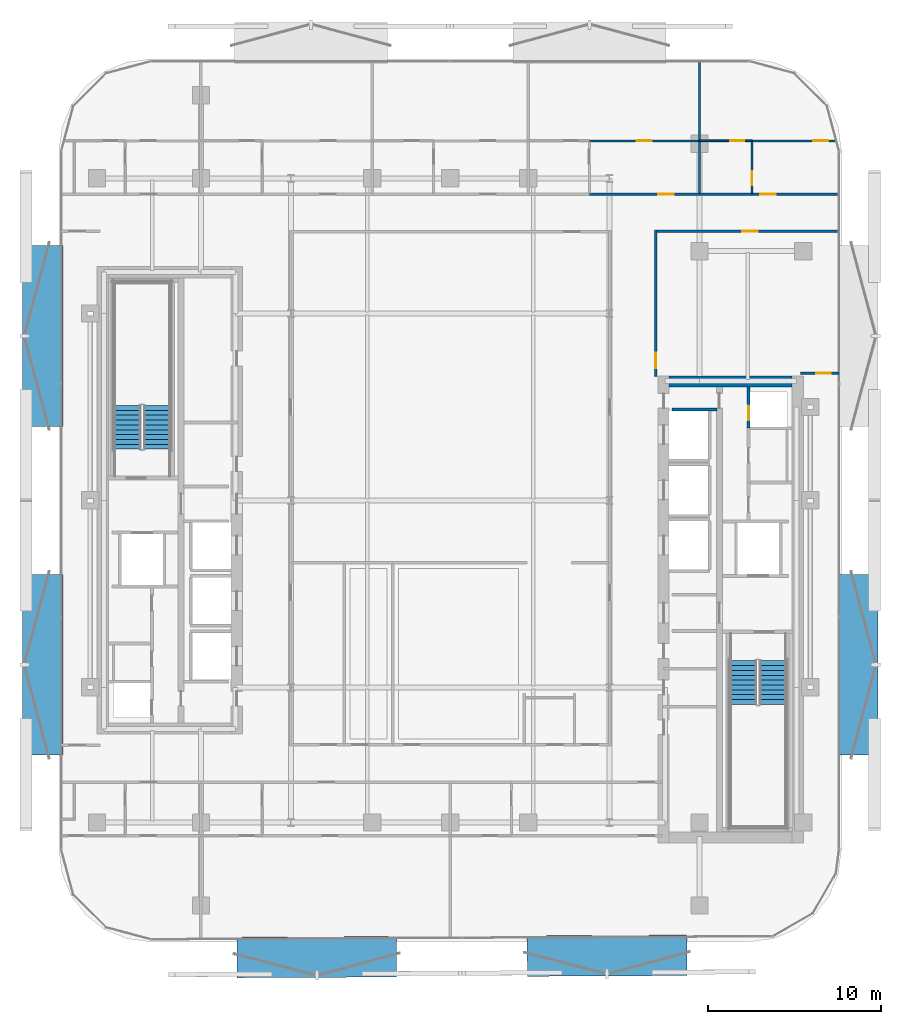
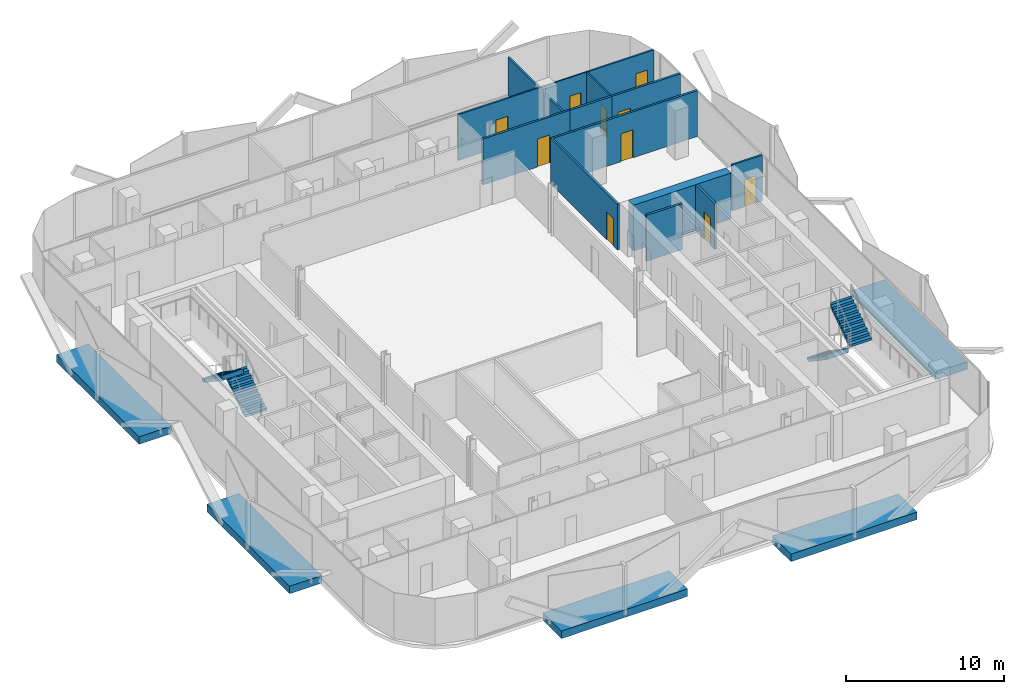
# One storey, part 7 of 17: 15 walls, 10 doors, 5 discrete accessories, 4 stair flights, 10 openings, 2 elements without a shape of their own.
"""IFC4 building model written with IfcOpenShell, lengths in metres."""

from ifc_helpers import new_model, si_unit, direction, frame, frame_2d, origin, origin_2d, place, context, subcontext, project, spatial, polyline, rectangle, outline, extrude, material, layer, layer_set, type_object, element, fill, aggregate, save


model = new_model("IFC4")

# Units and contexts
model_context = context("Model", 3, precision=1e-05, world=origin(), true_north=direction((0.0, 1.0)))
body_context = subcontext(model_context, "Body", "Model", "MODEL_VIEW")
ifc_project = project(units=[si_unit("LENGTHUNIT", "METRE"), si_unit("AREAUNIT", "SQUARE_METRE"), si_unit("VOLUMEUNIT", "CUBIC_METRE"), si_unit("PLANEANGLEUNIT", "RADIAN"), si_unit("MASSUNIT", "GRAM", prefix="KILO")], contexts=[model_context])

# Site, building, storey
site_placement = place(None, origin())
site = spatial("IfcSite", under=ifc_project, at=site_placement, CompositionType="ELEMENT")
building_placement = place(site_placement, origin())
building = spatial("IfcBuilding", under=site, at=building_placement, Name="Khairoan Windgate Tower", CompositionType="ELEMENT")
storey_placement = place(building_placement, frame((0.0, 0.0, 168.800048828125)))
storey = spatial("IfcBuildingStorey", under=building, at=storey_placement, Name="L38", CompositionType="ELEMENT", Elevation=168.800048828125)

# Wall, opening, door
ifc_material_1 = material(Name="Moisture-Resistant Gypsum Partition", Category="gypsum")
ifc_layer_1 = layer(ifc_material_1, 0.10009765625, Name="Moisture-Resistant Gypsum Partition")
ifc_layer_set_1 = layer_set([ifc_layer_1], Name="Moisture-Resistant Gypsum Partition")
wall_type_1 = type_object("IfcWallType", Name="Bathroom Wet-Area Partition Wall", PredefinedType="PARTITIONING", material=ifc_layer_set_1)
wall_1_placement = place(storey_placement, frame((17.43603515625, 17.7548828125, 0.0), z_axis=(0.0, 0.0, 1.0), x_axis=(0.0, 1.0, 0.0)))
wall_1 = element("IfcWall", 1, at=wall_1_placement, inside=storey, type_object=wall_type_1, Name="L38 Interior Partition 072", PredefinedType="PARTITIONING", context=body_context, shape_type="SweptSolid", body=[
    extrude(rectangle(XDim=2.965087890625, YDim=0.10009765625, at=frame_2d((1.482421875, 0.0))), origin(), (0.0, 0.0, 1.0), 3.5400390625),
])
opening_1_placement = place(wall_1_placement, frame((0.4599609375, 0.0, 0.0)))
opening_1 = element("IfcOpeningElement", 2, at=opening_1_placement, cuts=wall_1, Name="Opening ID-BTH", PredefinedType="OPENING", context=body_context, shape_type="SweptSolid", body=[
    extrude(rectangle(XDim=0.800048828125, YDim=2.10009765625, at=frame_2d((0.39990234375, 1.050048828125))), frame((0.0, 0.06005859375, 0.0), z_axis=(0.0, -1.0, 0.0), x_axis=(1.0, 0.0, 0.0)), (0.0, 0.0, 1.0), 0.1201171875),
])
ifc_material_2 = material(Name="Teak Veneer Timber Leaf", Category="wood")
door_type_1 = type_object("IfcDoorType", Name="Internal Bathroom Door ID-BTH 800x2100", OperationType="NOTDEFINED", PredefinedType="DOOR", material=ifc_material_2)
door_1_placement = place(opening_1_placement, origin())
door_1 = element("IfcDoor", 3, at=door_1_placement, inside=storey, type_object=door_type_1, Name="L38 L38-52-L38-53 Door", OperationType="SINGLE_SWING_RIGHT", OverallHeight=2.10009765625, OverallWidth=0.800048828125, PredefinedType="DOOR", context=body_context, shape_type="SweptSolid", body=[
    extrude(rectangle(XDim=0.800048828125, YDim=2.10009765625, at=frame_2d((0.39990234375, 1.050048828125))), frame((0.0, 0.02490234375, 0.0), z_axis=(0.0, -1.0, 0.0), x_axis=(1.0, 0.0, 0.0)), (0.0, 0.0, 1.0), 0.050048828125),
])
fill(opening_1, door_1)

wall_2_placement = place(storey_placement, frame((14.39990234375, 20.77001953125, 0.0), z_axis=(0.0, 0.0, 1.0), x_axis=(1.0, 0.0, 0.0)))
wall_2 = element("IfcWall", 4, at=wall_2_placement, inside=storey, type_object=wall_type_1, Name="L38 Interior Partition 073", PredefinedType="PARTITIONING", context=body_context, shape_type="SweptSolid", body=[
    extrude(rectangle(XDim=3.0361328125, YDim=0.10009765625, at=frame_2d((1.51806640625, 0.0))), origin(), (0.0, 0.0, 1.0), 3.5400390625),
])
opening_2_placement = place(wall_2_placement, frame((1.77587890625, 0.0, 0.0)))
opening_2 = element("IfcOpeningElement", 5, at=opening_2_placement, cuts=wall_2, Name="Opening ID-BTH", PredefinedType="OPENING", context=body_context, shape_type="SweptSolid", body=[
    extrude(rectangle(XDim=0.800048828125, YDim=2.10009765625, at=frame_2d((0.39990234375, 1.050048828125))), frame((0.0, 0.06005859375, 0.0), z_axis=(0.0, -1.0, 0.0), x_axis=(1.0, 0.0, 0.0)), (0.0, 0.0, 1.0), 0.1201171875),
])
door_2_placement = place(opening_2_placement, origin())
door_2 = element("IfcDoor", 6, at=door_2_placement, inside=storey, type_object=door_type_1, Name="L38 L38-52-L38-54 Door", OperationType="SINGLE_SWING_LEFT", OverallHeight=2.10009765625, OverallWidth=0.800048828125, PredefinedType="DOOR", context=body_context, shape_type="SweptSolid", body=[
    extrude(rectangle(XDim=0.800048828125, YDim=2.10009765625, at=frame_2d((0.39990234375, 1.050048828125))), frame((0.0, 0.02490234375, 0.0), z_axis=(0.0, -1.0, 0.0), x_axis=(1.0, 0.0, 0.0)), (0.0, 0.0, 1.0), 0.050048828125),
])
fill(opening_2, door_2)

# Walls
ifc_material_3 = material(Name="Concrete C40/50", Category="concrete")
ifc_layer_2 = layer(ifc_material_3, 0.159912109375, Name="Concrete C40/50")
ifc_layer_set_2 = layer_set([ifc_layer_2], Name="Concrete C40/50")
wall_type_2 = type_object("IfcWallType", Name="Core and Hoistway Enclosure Wall", PredefinedType="STANDARD", material=ifc_layer_set_2)
wall_3_placement = place(storey_placement, frame((12.800048828125, 5.25, 0.0), z_axis=(0.0, 0.0, 1.0), x_axis=(1.0, 0.0, 0.0)))
element("IfcWall", 7, at=wall_3_placement, inside=storey, type_object=wall_type_2, Name="L38 Core Shaft Wall SW-ESV-L38", PredefinedType="STANDARD", context=body_context, shape_type="SweptSolid", body=[
    extrude(rectangle(XDim=2.599853515625, YDim=0.159912109375, at=frame_2d((1.2998046875, 0.0))), origin(), (0.0, 0.0, 1.0), 3.5400390625),
])
ifc_material_4 = material(Name="Acoustic Fire-Rated Gypsum Partition", Category="gypsum")
ifc_layer_3 = layer(ifc_material_4, 0.139892578125, Name="Acoustic Fire-Rated Gypsum Partition")
ifc_layer_set_3 = layer_set([ifc_layer_3], Name="Acoustic Fire-Rated Gypsum Partition")
wall_type_3 = type_object("IfcWallType", Name="Inter-Tenancy Compartment Wall", PredefinedType="PARTITIONING", material=ifc_layer_set_3)
wall_4_placement = place(storey_placement, frame((14.39990234375, 17.7548828125, 0.0), z_axis=(0.0, 0.0, 1.0), x_axis=(0.0, 1.0, 0.0)))
element("IfcWall", 8, at=wall_4_placement, inside=storey, type_object=wall_type_3, Name="L38 Interior Partition 070", PredefinedType="PARTITIONING", context=body_context, shape_type="SweptSolid", body=[
    extrude(rectangle(XDim=3.01513671875, YDim=0.139892578125, at=frame_2d((1.507568359375, 0.0))), origin(), (0.0, 0.0, 1.0), 2.951904296875),
])
wall_5_placement = place(storey_placement, frame((14.39990234375, 20.77001953125, 0.0), z_axis=(0.0, 0.0, 1.0), x_axis=(0.0, 1.0, 0.0)))
element("IfcWall", 9, at=wall_5_placement, inside=storey, type_object=wall_type_3, Name="L38 Interior Partition 071", PredefinedType="PARTITIONING", context=body_context, shape_type="SweptSolid", body=[
    extrude(rectangle(XDim=4.5849609375, YDim=0.139892578125, at=frame_2d((2.29248046875, 0.0))), origin(), (0.0, 0.0, 1.0), 2.951904296875),
])

# Wall, opening, door
wall_6_placement = place(storey_placement, frame((20.239990234375, 7.340087890625, 0.0), z_axis=(0.0, 0.0, 1.0), x_axis=(1.0, 0.0, 0.0)))
wall_6 = element("IfcWall", 10, at=wall_6_placement, inside=storey, type_object=wall_type_3, Name="L38 Interior Partition 088", PredefinedType="PARTITIONING", context=body_context, shape_type="SweptSolid", body=[
    extrude(rectangle(XDim=2.215087890625, YDim=0.139892578125, at=frame_2d((1.107421875, 0.0))), origin(), (0.0, 0.0, 1.0), 3.5400390625),
])
opening_3_placement = place(wall_6_placement, frame((0.905029296875, 0.0, 0.0)))
opening_3 = element("IfcOpeningElement", 11, at=opening_3_placement, cuts=wall_6, Name="Opening FD-SRV", PredefinedType="OPENING", context=body_context, shape_type="SweptSolid", body=[
    extrude(rectangle(XDim=0.85009765625, YDim=2.10009765625, at=frame_2d((0.425048828125, 1.050048828125))), frame((0.0, 0.079833984375, 0.0), z_axis=(0.0, -1.0, 0.0), x_axis=(1.0, 0.0, 0.0)), (0.0, 0.0, 1.0), 0.159912109375),
])
ifc_material_5 = material(Name="Steel S355", Category="steel")
door_type_2 = type_object("IfcDoorType", Name="Core Service and Riser Fire Door FD-SRV 850x2100", OperationType="NOTDEFINED", PredefinedType="DOOR", material=ifc_material_5)
door_3_placement = place(opening_3_placement, origin())
door_3 = element("IfcDoor", 12, at=door_3_placement, inside=storey, type_object=door_type_2, Name="L38 L38-64-L38-66 Door", OperationType="SINGLE_SWING_RIGHT", OverallHeight=2.10009765625, OverallWidth=0.85009765625, PredefinedType="DOOR", context=body_context, shape_type="SweptSolid", body=[
    extrude(rectangle(XDim=0.85009765625, YDim=2.10009765625, at=frame_2d((0.425048828125, 1.050048828125))), frame((0.0, 0.02490234375, 0.0), z_axis=(0.0, -1.0, 0.0), x_axis=(1.0, 0.0, 0.0)), (0.0, 0.0, 1.0), 0.050048828125),
])
fill(opening_3, door_3)

ifc_material_6 = material(Name="Gypsum Stud Partition", Category="gypsum")
ifc_layer_4 = layer(ifc_material_6, 0.1201171875, Name="Gypsum Stud Partition")
ifc_layer_set_4 = layer_set([ifc_layer_4], Name="Gypsum Stud Partition")
wall_type_4 = type_object("IfcWallType", Name="Internal Room Partition Wall", PredefinedType="PARTITIONING", material=ifc_layer_set_4)
wall_7_placement = place(storey_placement, frame((8.0400390625, 20.77001953125, 0.0), z_axis=(0.0, 0.0, 1.0), x_axis=(1.0, 0.0, 0.0)))
wall_7 = element("IfcWall", 13, at=wall_7_placement, inside=storey, type_object=wall_type_4, Name="L38 Interior Partition 069", PredefinedType="PARTITIONING", context=body_context, shape_type="SweptSolid", body=[
    extrude(rectangle(XDim=6.35986328125, YDim=0.1201171875, at=frame_2d((3.179931640625, 0.0))), origin(), (0.0, 0.0, 1.0), 3.5400390625),
])
opening_4_placement = place(wall_7_placement, frame((2.75, 0.0, 0.0)))
opening_4 = element("IfcOpeningElement", 14, at=opening_4_placement, cuts=wall_7, Name="Opening ID-RM", PredefinedType="OPENING", context=body_context, shape_type="SweptSolid", body=[
    extrude(rectangle(XDim=0.860107421875, YDim=2.14990234375, at=frame_2d((0.43017578125, 1.074951171875))), frame((0.0, 0.070068359375, 0.0), z_axis=(0.0, -1.0, 0.0), x_axis=(1.0, 0.0, 0.0)), (0.0, 0.0, 1.0), 0.14013671875),
])
ifc_material_7 = material(Name="Teak Veneer Timber Leaf", Category="wood")
door_type_3 = type_object("IfcDoorType", Name="Internal Bedroom and Office Door ID-RM 860x2150", OperationType="NOTDEFINED", PredefinedType="DOOR", material=ifc_material_7)
door_4_placement = place(opening_4_placement, origin())
door_4 = element("IfcDoor", 15, at=door_4_placement, inside=storey, type_object=door_type_3, Name="L38 L38-50-L38-51 Door", OperationType="SINGLE_SWING_LEFT", OverallHeight=2.14990234375, OverallWidth=0.860107421875, PredefinedType="DOOR", context=body_context, shape_type="SweptSolid", body=[
    extrude(rectangle(XDim=0.860107421875, YDim=2.14990234375, at=frame_2d((0.43017578125, 1.074951171875))), frame((0.0, 0.02490234375, 0.0), z_axis=(0.0, -1.0, 0.0), x_axis=(1.0, 0.0, 0.0)), (0.0, 0.0, 1.0), 0.050048828125),
])
fill(opening_4, door_4)

wall_8_placement = place(storey_placement, frame((17.43603515625, 20.77001953125, 0.0), z_axis=(0.0, 0.0, 1.0), x_axis=(1.0, 0.0, 0.0)))
wall_8 = element("IfcWall", 16, at=wall_8_placement, inside=storey, type_object=wall_type_4, Name="L38 Interior Partition 074", PredefinedType="PARTITIONING", context=body_context, shape_type="SweptSolid", body=[
    extrude(rectangle(XDim=4.864013671875, YDim=0.1201171875, at=frame_2d((2.43212890625, 0.0))), origin(), (0.0, 0.0, 1.0), 3.5400390625),
])
opening_5_placement = place(wall_8_placement, frame((3.544189453125, 0.0, 0.0)))
opening_5 = element("IfcOpeningElement", 17, at=opening_5_placement, cuts=wall_8, Name="Opening ID-RM", PredefinedType="OPENING", context=body_context, shape_type="SweptSolid", body=[
    extrude(rectangle(XDim=0.860107421875, YDim=2.14990234375, at=frame_2d((0.43017578125, 1.074951171875))), frame((0.0, 0.070068359375, 0.0), z_axis=(0.0, -1.0, 0.0), x_axis=(1.0, 0.0, 0.0)), (0.0, 0.0, 1.0), 0.14013671875),
])
door_5_placement = place(opening_5_placement, origin())
door_5 = element("IfcDoor", 18, at=door_5_placement, inside=storey, type_object=door_type_3, Name="L38 L38-53-L38-54 Door", OperationType="SINGLE_SWING_RIGHT", OverallHeight=2.14990234375, OverallWidth=0.860107421875, PredefinedType="DOOR", context=body_context, shape_type="SweptSolid", body=[
    extrude(rectangle(XDim=0.860107421875, YDim=2.14990234375, at=frame_2d((0.43017578125, 1.074951171875))), frame((0.0, 0.02490234375, 0.0), z_axis=(0.0, -1.0, 0.0), x_axis=(1.0, 0.0, 0.0)), (0.0, 0.0, 1.0), 0.050048828125),
])
fill(opening_5, door_5)

ifc_material_8 = material(Name="Concrete C40/50", Category="concrete")
ifc_layer_5 = layer(ifc_material_8, 0.159912109375, Name="Concrete C40/50")
ifc_layer_set_5 = layer_set([ifc_layer_5], Name="Concrete C40/50")
wall_type_5 = type_object("IfcWallType", Name="Plant and Refuge Compartment Wall", PredefinedType="PARTITIONING", material=ifc_layer_set_5)
wall_9_placement = place(storey_placement, frame((17.22998046875, 4.169921875, 0.0), z_axis=(0.0, 0.0, 1.0), x_axis=(0.0, 1.0, 0.0)))
wall_9 = element("IfcWall", 19, at=wall_9_placement, inside=storey, type_object=wall_type_5, Name="L38 Interior Partition 007", PredefinedType="PARTITIONING", context=body_context, shape_type="SweptSolid", body=[
    extrude(rectangle(XDim=2.380126953125, YDim=0.159912109375, at=frame_2d((1.18994140625, 0.0))), origin(), (0.0, 0.0, 1.0), 3.5400390625),
])
opening_6_placement = place(wall_9_placement, frame((0.4599609375, 0.0, 0.0)))
opening_6 = element("IfcOpeningElement", 20, at=opening_6_placement, cuts=wall_9, Name="Opening FD-SRV", PredefinedType="OPENING", context=body_context, shape_type="SweptSolid", body=[
    extrude(rectangle(XDim=0.85009765625, YDim=2.10009765625, at=frame_2d((0.425048828125, 1.050048828125))), frame((0.0, 0.08984375, 0.0), z_axis=(0.0, -1.0, 0.0), x_axis=(1.0, 0.0, 0.0)), (0.0, 0.0, 1.0), 0.179931640625),
])
door_6_placement = place(opening_6_placement, origin())
door_6 = element("IfcDoor", 21, at=door_6_placement, inside=storey, type_object=door_type_2, Name="L38 L38-18-L38-19 Door", OperationType="SINGLE_SWING_LEFT", OverallHeight=2.10009765625, OverallWidth=0.85009765625, PredefinedType="DOOR", context=body_context, shape_type="SweptSolid", body=[
    extrude(rectangle(XDim=0.85009765625, YDim=2.10009765625, at=frame_2d((0.425048828125, 1.050048828125))), frame((0.0, 0.02490234375, 0.0), z_axis=(0.0, -1.0, 0.0), x_axis=(1.0, 0.0, 0.0)), (0.0, 0.0, 1.0), 0.050048828125),
])
fill(opening_6, door_6)

ifc_material_9 = material(Name="Acoustic Fire-Rated Gypsum Partition", Category="gypsum")
ifc_layer_6 = layer(ifc_material_9, 0.14990234375, Name="Acoustic Fire-Rated Gypsum Partition")
ifc_layer_set_6 = layer_set([ifc_layer_6], Name="Acoustic Fire-Rated Gypsum Partition")
wall_type_6 = type_object("IfcWallType", Name="Rated Corridor Partition Wall", PredefinedType="PARTITIONING", material=ifc_layer_set_6)
wall_10_placement = place(storey_placement, frame((11.8798828125, 7.159912109375, 0.0), z_axis=(0.0, 0.0, 1.0), x_axis=(0.0, 1.0, 0.0)))
wall_10 = element("IfcWall", 22, at=wall_10_placement, inside=storey, type_object=wall_type_6, Name="L38 Interior Partition 018", PredefinedType="PARTITIONING", context=body_context, shape_type="SweptSolid", body=[
    extrude(rectangle(XDim=8.455078125, YDim=0.14990234375, at=frame_2d((4.2275390625, 0.0))), origin(), (0.0, 0.0, 1.0), 3.5400390625),
])
opening_7_placement = place(wall_10_placement, frame((0.4599609375, 0.0, 0.0)))
opening_7 = element("IfcOpeningElement", 23, at=opening_7_placement, cuts=wall_10, Name="Opening FD-ENT", PredefinedType="OPENING", context=body_context, shape_type="SweptSolid", body=[
    extrude(rectangle(XDim=0.89990234375, YDim=2.14990234375, at=frame_2d((0.449951171875, 1.074951171875))), frame((0.0, 0.0849609375, 0.0), z_axis=(0.0, -1.0, 0.0), x_axis=(1.0, 0.0, 0.0)), (0.0, 0.0, 1.0), 0.169921875),
])
ifc_material_10 = material(Name="Timber Fire-Rated Core", Category="wood")
door_type_4 = type_object("IfcDoorType", Name="Unit and Office Fire Entrance Door FD-ENT 900x2150", OperationType="NOTDEFINED", PredefinedType="DOOR", material=ifc_material_10)
door_7_placement = place(opening_7_placement, origin())
door_7 = element("IfcDoor", 24, at=door_7_placement, inside=storey, type_object=door_type_4, Name="L38 L38-31-L38-64 Door", OperationType="SINGLE_SWING_RIGHT", OverallHeight=2.14990234375, OverallWidth=0.89990234375, PredefinedType="DOOR", context=body_context, shape_type="SweptSolid", body=[
    extrude(rectangle(XDim=0.89990234375, YDim=2.14990234375, at=frame_2d((0.449951171875, 1.074951171875))), frame((0.0, 0.02490234375, 0.0), z_axis=(0.0, -1.0, 0.0), x_axis=(1.0, 0.0, 0.0)), (0.0, 0.0, 1.0), 0.050048828125),
])
fill(opening_7, door_7)

wall_11_placement = place(storey_placement, frame((8.0400390625, 17.679931640625, 0.0), z_axis=(0.0, 0.0, 1.0), x_axis=(1.0, 0.0, 0.0)))
wall_11 = element("IfcWall", 25, at=wall_11_placement, inside=storey, type_object=wall_type_6, Name="L38 Interior Partition 027", PredefinedType="PARTITIONING", context=body_context, shape_type="SweptSolid", body=[
    extrude(rectangle(XDim=6.35986328125, YDim=0.14990234375, at=frame_2d((3.179931640625, 0.0))), origin(), (0.0, 0.0, 1.0), 3.5400390625),
])
opening_8_placement = place(wall_11_placement, frame((3.96826171875, 0.0, 0.0)))
opening_8 = element("IfcOpeningElement", 26, at=opening_8_placement, cuts=wall_11, Name="Opening FD-ENT", PredefinedType="OPENING", context=body_context, shape_type="SweptSolid", body=[
    extrude(rectangle(XDim=0.89990234375, YDim=2.14990234375, at=frame_2d((0.449951171875, 1.074951171875))), frame((0.0, 0.0849609375, 0.0), z_axis=(0.0, -1.0, 0.0), x_axis=(1.0, 0.0, 0.0)), (0.0, 0.0, 1.0), 0.169921875),
])
door_8_placement = place(opening_8_placement, origin())
door_8 = element("IfcDoor", 27, at=door_8_placement, inside=storey, type_object=door_type_4, Name="L38 L38-32-L38-50 Door", OperationType="SINGLE_SWING_LEFT", OverallHeight=2.14990234375, OverallWidth=0.89990234375, PredefinedType="DOOR", context=body_context, shape_type="SweptSolid", body=[
    extrude(rectangle(XDim=0.89990234375, YDim=2.14990234375, at=frame_2d((0.449951171875, 1.074951171875))), frame((0.0, 0.02490234375, 0.0), z_axis=(0.0, -1.0, 0.0), x_axis=(1.0, 0.0, 0.0)), (0.0, 0.0, 1.0), 0.050048828125),
])
fill(opening_8, door_8)

# Wall
wall_12_placement = place(storey_placement, frame((14.39990234375, 17.679931640625, 0.0), z_axis=(0.0, 0.0, 1.0), x_axis=(1.0, 0.0, 0.0)))
element("IfcWall", 28, at=wall_12_placement, inside=storey, type_object=wall_type_6, Name="L38 Interior Partition 028", PredefinedType="PARTITIONING", context=body_context, shape_type="SweptSolid", body=[
    extrude(rectangle(XDim=3.0361328125, YDim=0.14990234375, at=frame_2d((1.51806640625, 0.0))), origin(), (0.0, 0.0, 1.0), 3.5400390625),
])

# Wall, opening, door
wall_13_placement = place(storey_placement, frame((17.43603515625, 17.679931640625, 0.0), z_axis=(0.0, 0.0, 1.0), x_axis=(1.0, 0.0, 0.0)))
wall_13 = element("IfcWall", 29, at=wall_13_placement, inside=storey, type_object=wall_type_6, Name="L38 Interior Partition 029", PredefinedType="PARTITIONING", context=body_context, shape_type="SweptSolid", body=[
    extrude(rectangle(XDim=5.01904296875, YDim=0.14990234375, at=frame_2d((2.509521484375, 0.0))), origin(), (0.0, 0.0, 1.0), 3.5400390625),
])
opening_9_placement = place(wall_13_placement, frame((0.4599609375, 0.0, 0.0)))
opening_9 = element("IfcOpeningElement", 30, at=opening_9_placement, cuts=wall_13, Name="Opening FD-ENT", PredefinedType="OPENING", context=body_context, shape_type="SweptSolid", body=[
    extrude(rectangle(XDim=0.89990234375, YDim=2.14990234375, at=frame_2d((0.449951171875, 1.074951171875))), frame((0.0, 0.0849609375, 0.0), z_axis=(0.0, -1.0, 0.0), x_axis=(1.0, 0.0, 0.0)), (0.0, 0.0, 1.0), 0.169921875),
])
door_9_placement = place(opening_9_placement, origin())
door_9 = element("IfcDoor", 31, at=door_9_placement, inside=storey, type_object=door_type_4, Name="L38 L38-32-L38-53 Door", OperationType="SINGLE_SWING_RIGHT", OverallHeight=2.14990234375, OverallWidth=0.89990234375, PredefinedType="DOOR", context=body_context, shape_type="SweptSolid", body=[
    extrude(rectangle(XDim=0.89990234375, YDim=2.14990234375, at=frame_2d((0.449951171875, 1.074951171875))), frame((0.0, 0.02490234375, 0.0), z_axis=(0.0, -1.0, 0.0), x_axis=(1.0, 0.0, 0.0)), (0.0, 0.0, 1.0), 0.050048828125),
])
fill(opening_9, door_9)

wall_14_placement = place(storey_placement, frame((11.955078125, 15.5400390625, 0.0), z_axis=(0.0, 0.0, 1.0), x_axis=(1.0, 0.0, 0.0)))
wall_14 = element("IfcWall", 32, at=wall_14_placement, inside=storey, type_object=wall_type_6, Name="L38 Interior Partition 030", PredefinedType="PARTITIONING", context=body_context, shape_type="SweptSolid", body=[
    extrude(rectangle(XDim=10.5, YDim=0.14990234375, at=frame_2d((5.25, 0.0))), origin(), (0.0, 0.0, 1.0), 3.5400390625),
])
opening_10_placement = place(wall_14_placement, frame((4.90087890625, 0.0, 0.0)))
opening_10 = element("IfcOpeningElement", 33, at=opening_10_placement, cuts=wall_14, Name="Opening FD-ENT", PredefinedType="OPENING", context=body_context, shape_type="SweptSolid", body=[
    extrude(rectangle(XDim=0.89990234375, YDim=2.14990234375, at=frame_2d((0.449951171875, 1.074951171875))), frame((0.0, 0.0849609375, 0.0), z_axis=(0.0, -1.0, 0.0), x_axis=(1.0, 0.0, 0.0)), (0.0, 0.0, 1.0), 0.169921875),
])
door_10_placement = place(opening_10_placement, origin())
door_10 = element("IfcDoor", 34, at=door_10_placement, inside=storey, type_object=door_type_4, Name="L38 L38-32-L38-64 Door", OperationType="SINGLE_SWING_LEFT", OverallHeight=2.14990234375, OverallWidth=0.89990234375, PredefinedType="DOOR", context=body_context, shape_type="SweptSolid", body=[
    extrude(rectangle(XDim=0.89990234375, YDim=2.14990234375, at=frame_2d((0.449951171875, 1.074951171875))), frame((0.0, 0.02490234375, 0.0), z_axis=(0.0, -1.0, 0.0), x_axis=(1.0, 0.0, 0.0)), (0.0, 0.0, 1.0), 0.050048828125),
])
fill(opening_10, door_10)

# Wall
ifc_material_11 = material(Name="Concrete C60/75", Category="concrete")
ifc_layer_7 = layer(ifc_material_11, 0.64990234375, Name="Concrete C60/75")
ifc_layer_set_7 = layer_set([ifc_layer_7], Name="Concrete C60/75")
wall_type_7 = type_object("IfcWallType", Name="Shear Wall CW-E2 650mm", PredefinedType="SHEAR", material=ifc_layer_set_7)
wall_15_placement = place(storey_placement, frame((12.64990234375, 6.875, 0.0), z_axis=(0.0, 0.0, 1.0), x_axis=(1.0, 0.0, 0.0)))
element("IfcWall", 35, at=wall_15_placement, inside=storey, type_object=wall_type_7, Name="E Core North Shear Wall L38", PredefinedType="SHEAR", context=body_context, shape_type="SweptSolid", body=[
    extrude(rectangle(XDim=7.10009765625, YDim=0.64990234375, at=frame_2d((3.550048828125, 0.0))), origin(), (0.0, 0.0, 1.0), 3.5400390625),
])

# Stair, stair flights
ifc_material_12 = material(Name="Concrete C40/50", Category="concrete")
stair_type = type_object("IfcStairType", Name="Tower Core Dog-Leg Stair ST-T1 1560mm", PredefinedType="HALF_TURN_STAIR", material=ifc_material_12)
stair_1_placement = place(storey_placement, origin())
stair_1 = element("IfcStair", 36, at=stair_1_placement, inside=storey, type_object=stair_type, Name="L38 Stair ST1", PredefinedType="HALF_TURN_STAIR")
ifc_material_13 = material(Name="Concrete C40/50", Category="concrete")
ifc_layer_8 = layer(ifc_material_13, 0.14990234375, Name="Concrete C40/50")
ifc_layer_set_8 = layer_set([ifc_layer_8], Name="Concrete C40/50")
stair_flight_type = type_object("IfcStairFlightType", Name="Tower Core Stair Flight STF-1560", PredefinedType="STRAIGHT", material=ifc_layer_set_8)
stair_flight_1_placement = place(storey_placement, frame((16.929931640625, -9.260009765625, 0.0), z_axis=(0.0, 0.0, 1.0), x_axis=(0.0, -1.0, 0.0)))
stair_flight_1 = element("IfcStairFlight", 37, at=stair_flight_1_placement, type_object=stair_flight_type, Name="ST1 flight 1", NumberOfRisers=10, NumberOfTreads=9, PredefinedType="STRAIGHT", RiserHeight=0.19, TreadLength=0.28, context=body_context, shape_type="SweptSolid", body=[
    extrude(outline(polyline([(-0.00390625, 0.0), (-0.00390625, 0.18994140625), (0.0, 0.18994140625), (0.280029296875, 0.18994140625), (0.280029296875, 0.3798828125), (0.56005859375, 0.3798828125), (0.56005859375, 0.570068359375), (0.840087890625, 0.570068359375), (0.840087890625, 0.760009765625), (1.1201171875, 0.760009765625), (1.1201171875, 0.949951171875), (1.39990234375, 0.949951171875), (1.39990234375, 1.139892578125), (1.679931640625, 1.139892578125), (1.679931640625, 1.330078125), (1.9599609375, 1.330078125), (1.9599609375, 1.52001953125), (2.239990234375, 1.52001953125), (2.239990234375, 1.7099609375), (2.52001953125, 1.7099609375), (2.52001953125, 1.89990234375), (2.52392578125, 1.89990234375), (2.52392578125, 1.52880859375), (0.266845703125, 0.0), (-0.00390625, 0.0)])), frame((0.0, 0.780029296875, 0.0), z_axis=(0.0, -1.0, 0.0), x_axis=(1.0, 0.0, 0.0)), (0.0, 0.0, 1.0), 1.56005859375),
])
stair_flight_2_placement = place(storey_placement, frame((18.639892578125, -11.780029296875, 1.89990234375), z_axis=(0.0, 0.0, 1.0), x_axis=(0.0, 1.0, 0.0)))
stair_flight_2 = element("IfcStairFlight", 38, at=stair_flight_2_placement, type_object=stair_flight_type, Name="ST1 flight 2", NumberOfRisers=10, NumberOfTreads=9, PredefinedType="STRAIGHT", RiserHeight=0.19, TreadLength=0.28, context=body_context, shape_type="SweptSolid", body=[
    extrude(outline(polyline([(-0.00390625, 0.0), (-0.00390625, 0.18994140625), (0.0, 0.18994140625), (0.280029296875, 0.18994140625), (0.280029296875, 0.3798828125), (0.56005859375, 0.3798828125), (0.56005859375, 0.570068359375), (0.840087890625, 0.570068359375), (0.840087890625, 0.760009765625), (1.1201171875, 0.760009765625), (1.1201171875, 0.949951171875), (1.39990234375, 0.949951171875), (1.39990234375, 1.139892578125), (1.679931640625, 1.139892578125), (1.679931640625, 1.330078125), (1.9599609375, 1.330078125), (1.9599609375, 1.52001953125), (2.239990234375, 1.52001953125), (2.239990234375, 1.7099609375), (2.52001953125, 1.7099609375), (2.52001953125, 1.89990234375), (2.52392578125, 1.89990234375), (2.52392578125, 1.52880859375), (0.266845703125, 0.0), (-0.00390625, 0.0)])), frame((0.0, 0.780029296875, 0.0), z_axis=(0.0, -1.0, 0.0), x_axis=(1.0, 0.0, 0.0)), (0.0, 0.0, 1.0), 1.56005859375),
])
aggregate(stair_1, [stair_flight_1, stair_flight_2])

stair_2_placement = place(storey_placement, origin())
stair_2 = element("IfcStair", 39, at=stair_2_placement, inside=storey, type_object=stair_type, Name="L38 Stair ST2", PredefinedType="HALF_TURN_STAIR")
stair_flight_3_placement = place(storey_placement, frame((-16.929931640625, 2.9599609375, 0.0), z_axis=(0.0, 0.0, 1.0), x_axis=(0.0, 1.0, 0.0)))
stair_flight_3 = element("IfcStairFlight", 40, at=stair_flight_3_placement, type_object=stair_flight_type, Name="ST2 flight 1", NumberOfRisers=10, NumberOfTreads=9, PredefinedType="STRAIGHT", RiserHeight=0.19, TreadLength=0.28, context=body_context, shape_type="SweptSolid", body=[
    extrude(outline(polyline([(-0.00390625, 0.0), (-0.00390625, 0.18994140625), (0.0, 0.18994140625), (0.280029296875, 0.18994140625), (0.280029296875, 0.3798828125), (0.56005859375, 0.3798828125), (0.56005859375, 0.570068359375), (0.840087890625, 0.570068359375), (0.840087890625, 0.760009765625), (1.1201171875, 0.760009765625), (1.1201171875, 0.949951171875), (1.39990234375, 0.949951171875), (1.39990234375, 1.139892578125), (1.679931640625, 1.139892578125), (1.679931640625, 1.330078125), (1.9599609375, 1.330078125), (1.9599609375, 1.52001953125), (2.239990234375, 1.52001953125), (2.239990234375, 1.7099609375), (2.52001953125, 1.7099609375), (2.52001953125, 1.89990234375), (2.52392578125, 1.89990234375), (2.52392578125, 1.52880859375), (0.266845703125, 0.0), (-0.00390625, 0.0)])), frame((0.0, 0.780029296875, 0.0), z_axis=(0.0, -1.0, 0.0), x_axis=(1.0, 0.0, 0.0)), (0.0, 0.0, 1.0), 1.56005859375),
])
stair_flight_4_placement = place(storey_placement, frame((-18.639892578125, 5.47998046875, 1.89990234375), z_axis=(0.0, 0.0, 1.0), x_axis=(0.0, -1.0, 0.0)))
stair_flight_4 = element("IfcStairFlight", 41, at=stair_flight_4_placement, type_object=stair_flight_type, Name="ST2 flight 2", NumberOfRisers=10, NumberOfTreads=9, PredefinedType="STRAIGHT", RiserHeight=0.19, TreadLength=0.28, context=body_context, shape_type="SweptSolid", body=[
    extrude(outline(polyline([(-0.00390625, 0.0), (-0.00390625, 0.18994140625), (0.0, 0.18994140625), (0.280029296875, 0.18994140625), (0.280029296875, 0.3798828125), (0.56005859375, 0.3798828125), (0.56005859375, 0.570068359375), (0.840087890625, 0.570068359375), (0.840087890625, 0.760009765625), (1.1201171875, 0.760009765625), (1.1201171875, 0.949951171875), (1.39990234375, 0.949951171875), (1.39990234375, 1.139892578125), (1.679931640625, 1.139892578125), (1.679931640625, 1.330078125), (1.9599609375, 1.330078125), (1.9599609375, 1.52001953125), (2.239990234375, 1.52001953125), (2.239990234375, 1.7099609375), (2.52001953125, 1.7099609375), (2.52001953125, 1.89990234375), (2.52392578125, 1.89990234375), (2.52392578125, 1.52880859375), (0.266845703125, 0.0), (-0.00390625, 0.0)])), frame((0.0, 0.780029296875, 0.0), z_axis=(0.0, -1.0, 0.0), x_axis=(1.0, 0.0, 0.0)), (0.0, 0.0, 1.0), 1.56005859375),
])
aggregate(stair_2, [stair_flight_3, stair_flight_4])

# Discrete accessories
ifc_material_14 = material(Name="Steel S355", Category="steel")
discrete_accessory_type = type_object("IfcDiscreteAccessoryType", Name="Solar Screen Outrigger Slab Bracket SSB-1", PredefinedType="BRACKET", material=ifc_material_14)
for number, where, z_axis, x_axis, name in (
    (42, (9.05908203125, -26.30029296875, -0.420166015625), (0.0, 0.0, 1.0), (-0.999988059021, -0.004886902454, 0.0), "L38 Solar Screen Outrigger Bracket 241"),
    (43, (-7.7041015625, -26.3828125, -0.420166015625), (0.0, 0.0, 1.0), (-0.999988059021, -0.004886902454, 0.0), "L38 Solar Screen Outrigger Bracket 242"),
):
    element("IfcDiscreteAccessory", number, at=place(storey_placement, frame(where, z_axis=z_axis, x_axis=x_axis)), inside=storey, type_object=discrete_accessory_type, Name=name, PredefinedType="BRACKET", context=body_context, shape_type="SweptSolid", body=[
        extrude(rectangle(XDim=9.219970703125, YDim=2.340087890625, at=origin_2d()), origin(), (0.0, 0.0, 1.0), 0.580078125),
    ])
for number, where, z_axis, x_axis, name in (
    (44, (-23.530029296875, -9.495361328125, -0.420166015625), (0.0, 0.0, 1.0), (0.0, 1.0, 0.0), "L38 Solar Screen Outrigger Bracket 243"),
    (45, (-23.530029296875, 9.495361328125, -0.420166015625), (0.0, 0.0, 1.0), (0.0, 1.0, 0.0), "L38 Solar Screen Outrigger Bracket 244"),
    (46, (23.530029296875, -9.495361328125, -0.420166015625), (0.0, 0.0, 1.0), (0.0, -1.0, 0.0), "L38 Solar Screen Outrigger Bracket 248"),
):
    element("IfcDiscreteAccessory", number, at=place(storey_placement, frame(where, z_axis=z_axis, x_axis=x_axis)), inside=storey, type_object=discrete_accessory_type, Name=name, PredefinedType="BRACKET", context=body_context, shape_type="SweptSolid", body=[
        extrude(rectangle(XDim=10.445068359375, YDim=2.340087890625, at=origin_2d()), origin(), (0.0, 0.0, 1.0), 0.580078125),
    ])

save(model, "model.ifc")
